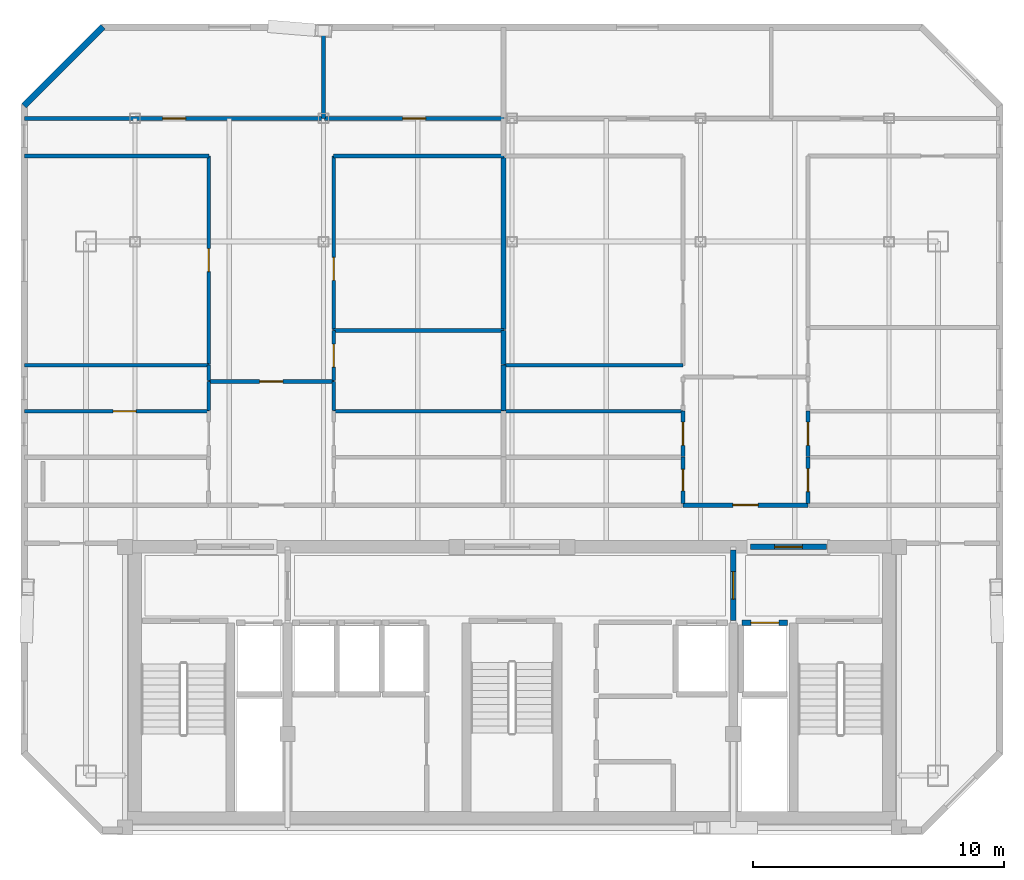
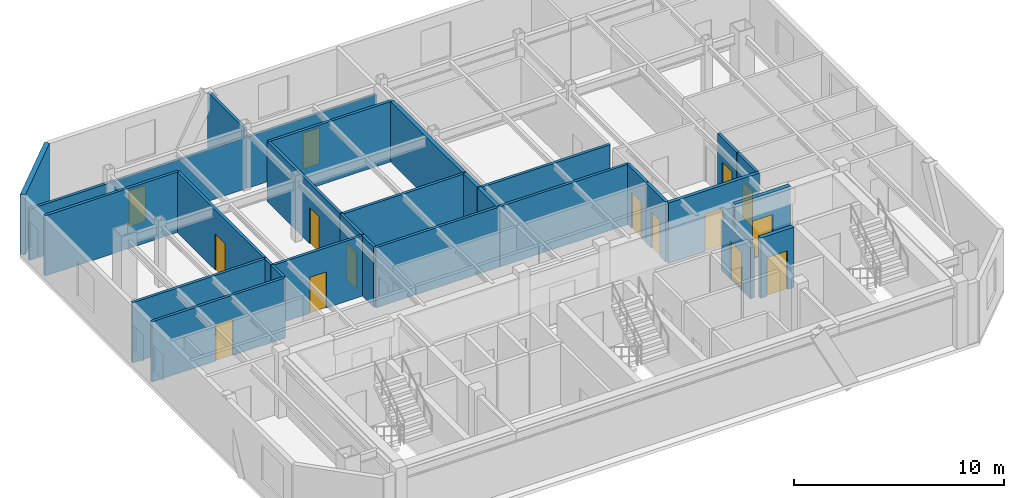
# One storey, part 4 of 7: 30 walls, 15 doors, 15 openings.
"""IFC4 building model written with IfcOpenShell, lengths in metres."""

from ifc_helpers import new_model, si_unit, direction, frame, frame_2d, origin, place, context, subcontext, project, spatial, rectangle, extrude, material, layer, layer_set, type_object, element, fill, save


model = new_model("IFC4")

# Units and contexts
model_context = context("Model", 3, precision=1e-05, world=origin(), true_north=direction((0.0, 1.0)))
body_context = subcontext(model_context, "Body", "Model", "MODEL_VIEW")
ifc_project = project(units=[si_unit("LENGTHUNIT", "METRE"), si_unit("AREAUNIT", "SQUARE_METRE"), si_unit("VOLUMEUNIT", "CUBIC_METRE"), si_unit("PLANEANGLEUNIT", "RADIAN"), si_unit("MASSUNIT", "GRAM", prefix="KILO")], contexts=[model_context])

# Site, building, storey
site_placement = place(None, origin())
site = spatial("IfcSite", under=ifc_project, at=site_placement, CompositionType="ELEMENT")
building_placement = place(site_placement, origin())
building = spatial("IfcBuilding", under=site, at=building_placement, Name="Ventersveld Concourse Tower", CompositionType="ELEMENT")
storey_placement = place(building_placement, frame((0.0, 0.0, 328.449951171875)))
storey = spatial("IfcBuildingStorey", under=building, at=storey_placement, Name="L81", CompositionType="ELEMENT", Elevation=328.449951171875)

# Wall, opening, door
ifc_material_1 = material(Name="Fire-rated autoclaved aerated masonry blockwork", Category="masonry")
ifc_layer_1 = layer(ifc_material_1, 0.179931640625)
ifc_layer_set_1 = layer_set([ifc_layer_1], Name="Fire-rated autoclaved aerated masonry blockwork")
wall_type_1 = type_object("IfcWallType", Name="WL-CORR-180", PredefinedType="PARTITIONING", material=ifc_layer_set_1)
wall_1_placement = place(storey_placement, frame((35.545166015625, 13.114990234375, 0.0), z_axis=(0.0, 0.0, 1.0), x_axis=(1.0, 0.0, 0.0)))
wall_1 = element("IfcWall", 1, at=wall_1_placement, inside=storey, type_object=wall_type_1, Name="L81 Interior Partition SP-L81-COR-SP-L81-81N2-FOY", PredefinedType="PARTITIONING", context=body_context, shape_type="SweptSolid", body=[
    extrude(rectangle(XDim=4.989990234375, YDim=0.179931640625, at=frame_2d((2.4951171875, 0.0))), origin(), (0.0, 0.0, 1.0), 3.5),
])
opening_1_placement = place(wall_1_placement, frame((1.9951171875, 0.0, 0.0)))
opening_1 = element("IfcOpeningElement", 2, at=opening_1_placement, cuts=wall_1, Name="Opening FD3", PredefinedType="OPENING", context=body_context, shape_type="SweptSolid", body=[
    extrude(rectangle(XDim=1.0, YDim=2.14990234375, at=frame_2d((0.5, 1.074951171875))), frame((0.0, 0.10009765625, 0.0), z_axis=(0.0, -1.0, 0.0), x_axis=(1.0, 0.0, 0.0)), (0.0, 0.0, 1.0), 0.199951171875),
])
ifc_material_2 = material(Name="Solid-core hardwood veneer timber", Category="wood")
door_type_1 = type_object("IfcDoorType", Name="DR-FLAT-100", OperationType="NOTDEFINED", PredefinedType="DOOR", material=ifc_material_2)
door_1_placement = place(opening_1_placement, origin())
door_1 = element("IfcDoor", 3, at=door_1_placement, inside=storey, type_object=door_type_1, Name="L81 Interior Door SP-L81-COR to SP-L81-81N2-FOY (FD-L81-3681)", OperationType="SINGLE_SWING_LEFT", OverallHeight=2.14990234375, OverallWidth=1.0, PredefinedType="DOOR", context=body_context, shape_type="SweptSolid", body=[
    extrude(rectangle(XDim=1.0, YDim=2.14990234375, at=frame_2d((0.5, 1.074951171875))), frame((0.0, 0.02490234375, 0.0), z_axis=(0.0, -1.0, 0.0), x_axis=(1.0, 0.0, 0.0)), (0.0, 0.0, 1.0), 0.050048828125),
])
fill(opening_1, door_1)

# Walls
ifc_layer_2 = layer(ifc_material_1, 0.199951171875)
ifc_layer_set_2 = layer_set([ifc_layer_2], Name="Fire-rated autoclaved aerated masonry blockwork")
wall_type_2 = type_object("IfcWallType", Name="WL-DEMISE-200", PredefinedType="PARTITIONING", material=ifc_layer_set_2)
wall_2_placement = place(storey_placement, frame((28.419189453125, 16.885009765625, 0.0), z_axis=(0.0, 0.0, 1.0), x_axis=(0.0, 1.0, 0.0)))
element("IfcWall", 4, at=wall_2_placement, inside=storey, type_object=wall_type_2, Name="L81 Interior Partition SP-L81-81N1-MEDR3-SP-L81-81N2-PANL2", PredefinedType="PARTITIONING", context=body_context, shape_type="SweptSolid", body=[
    extrude(rectangle(XDim=1.800048828125, YDim=0.199951171875, at=frame_2d((0.89990234375, 0.0))), origin(), (0.0, 0.0, 1.0), 3.5),
])
wall_3_placement = place(storey_placement, frame((28.419189453125, 18.715087890625, 0.0), z_axis=(0.0, 0.0, 1.0), x_axis=(0.0, 1.0, 0.0)))
element("IfcWall", 5, at=wall_3_placement, inside=storey, type_object=wall_type_2, Name="L81 Interior Partition SP-L81-81N1-MEDR3-SP-L81-81N2-DENL", PredefinedType="PARTITIONING", context=body_context, shape_type="SweptSolid", body=[
    extrude(rectangle(XDim=1.345947265625, YDim=0.199951171875, at=frame_2d((0.6728515625, 0.0))), origin(), (0.0, 0.0, 1.0), 3.5),
])
wall_4_placement = place(storey_placement, frame((28.419189453125, 20.091064453125, 0.0), z_axis=(0.0, 0.0, 1.0), x_axis=(0.0, 1.0, 0.0)))
element("IfcWall", 6, at=wall_4_placement, inside=storey, type_object=wall_type_2, Name="L81 Interior Partition SP-L81-81N1-DENS2-SP-L81-81N2-DENL", PredefinedType="PARTITIONING", context=body_context, shape_type="SweptSolid", body=[
    extrude(rectangle(XDim=6.8740234375, YDim=0.199951171875, at=frame_2d((3.43701171875, 0.0))), origin(), (0.0, 0.0, 1.0), 3.5),
])

# Wall, opening, door
ifc_layer_3 = layer(ifc_material_1, 0.219970703125)
ifc_layer_set_3 = layer_set([ifc_layer_3], Name="Fire-rated autoclaved aerated masonry blockwork")
wall_type_3 = type_object("IfcWallType", Name="WL-HOIST-220", PredefinedType="SOLIDWALL", material=ifc_layer_set_3)
wall_5_placement = place(storey_placement, frame((37.89990234375, 8.429931640625, 0.0), z_axis=(0.0, 0.0, 1.0), x_axis=(1.0, 0.0, 0.0)))
wall_5 = element("IfcWall", 7, at=wall_5_placement, inside=storey, type_object=wall_type_3, Name="L81 Lift Hoistway Front Wall FFL-02", PredefinedType="SOLIDWALL", context=body_context, shape_type="SweptSolid", body=[
    extrude(rectangle(XDim=1.820068359375, YDim=0.219970703125, at=frame_2d((0.91015625, 0.0))), origin(), (0.0, 0.0, 1.0), 3.5),
])
opening_2_placement = place(wall_5_placement, frame((0.35009765625, 0.0, 0.0)))
opening_2 = element("IfcOpeningElement", 8, at=opening_2_placement, cuts=wall_5, Name="Opening LD1", PredefinedType="OPENING", context=body_context, shape_type="SweptSolid", body=[
    extrude(rectangle(XDim=1.1201171875, YDim=2.25, at=frame_2d((0.56005859375, 1.125))), frame((0.0, 0.1201171875, 0.0), z_axis=(0.0, -1.0, 0.0), x_axis=(1.0, 0.0, 0.0)), (0.0, 0.0, 1.0), 0.239990234375),
])
ifc_material_3 = material(Name="Brushed stainless steel 316", Category="steel")
door_type_2 = type_object("IfcDoorType", Name="LD-FF-112", OperationType="SLIDING_TO_LEFT", PredefinedType="DOOR", material=ifc_material_3)
door_2_placement = place(opening_2_placement, origin())
door_2 = element("IfcDoor", 9, at=door_2_placement, inside=storey, type_object=door_type_2, Name="L81 Lift landing door FFL-02 (LD-L81-FFL-02)", OperationType="SLIDING_TO_LEFT", OverallHeight=2.25, OverallWidth=1.1201171875, PredefinedType="DOOR", context=body_context, shape_type="SweptSolid", body=[
    extrude(rectangle(XDim=1.1201171875, YDim=2.25, at=frame_2d((0.56005859375, 1.125))), frame((0.0, 0.02490234375, 0.0), z_axis=(0.0, -1.0, 0.0), x_axis=(1.0, 0.0, 0.0)), (0.0, 0.0, 1.0), 0.050048828125),
])
fill(opening_2, door_2)

wall_6_placement = place(storey_placement, frame((37.550048828125, 8.52001953125, 0.0), z_axis=(0.0, 0.0, 1.0), x_axis=(0.0, 1.0, 0.0)))
wall_6 = element("IfcWall", 10, at=wall_6_placement, inside=storey, type_object=wall_type_3, Name="L81 Firefighting Lobby Smoke-Stop Wall FFLE-SEP", PredefinedType="SOLIDWALL", context=body_context, shape_type="SweptSolid", body=[
    extrude(rectangle(XDim=2.800048828125, YDim=0.219970703125, at=frame_2d((1.39990234375, 0.0))), origin(), (0.0, 0.0, 1.0), 2.95556640625),
])
opening_3_placement = place(wall_6_placement, frame((0.85009765625, 0.0, 0.0)))
opening_3 = element("IfcOpeningElement", 11, at=opening_3_placement, cuts=wall_6, Name="Opening FD2", PredefinedType="OPENING", context=body_context, shape_type="SweptSolid", body=[
    extrude(rectangle(XDim=1.10009765625, YDim=2.199951171875, at=frame_2d((0.550048828125, 1.10009765625))), frame((0.0, 0.1201171875, 0.0), z_axis=(0.0, -1.0, 0.0), x_axis=(1.0, 0.0, 0.0)), (0.0, 0.0, 1.0), 0.239990234375),
])
ifc_material_4 = material(Name="Galvanised painted steel", Category="steel")
door_type_3 = type_object("IfcDoorType", Name="DR-FFL-110", OperationType="NOTDEFINED", PredefinedType="DOOR", material=ifc_material_4)
door_3_placement = place(opening_3_placement, origin())
door_3 = element("IfcDoor", 12, at=door_3_placement, inside=storey, type_object=door_type_3, Name="L81 Firefighting Lobby Door FFLE-SEP (FD-L81-3670)", OperationType="SINGLE_SWING_RIGHT", OverallHeight=2.199951171875, OverallWidth=1.10009765625, PredefinedType="DOOR", context=body_context, shape_type="SweptSolid", body=[
    extrude(rectangle(XDim=1.10009765625, YDim=2.199951171875, at=frame_2d((0.550048828125, 1.10009765625))), frame((0.0, 0.02490234375, 0.0), z_axis=(0.0, -1.0, 0.0), x_axis=(1.0, 0.0, 0.0)), (0.0, 0.0, 1.0), 0.050048828125),
])
fill(opening_3, door_3)

wall_7_placement = place(storey_placement, frame((38.22998046875, 11.449951171875, 0.0), z_axis=(0.0, 0.0, 1.0), x_axis=(1.0, 0.0, 0.0)))
wall_7 = element("IfcWall", 13, at=wall_7_placement, inside=storey, type_object=wall_type_3, Name="L81 Core North Fire Portal FFLE-OUT", PredefinedType="SOLIDWALL", context=body_context, shape_type="SweptSolid", body=[
    extrude(rectangle(XDim=3.0400390625, YDim=0.219970703125, at=frame_2d((1.52001953125, 0.0))), origin(), (0.0, 0.0, 1.0), 3.5),
])
opening_4_placement = place(wall_7_placement, frame((0.969970703125, 0.0, 0.0)))
opening_4 = element("IfcOpeningElement", 14, at=opening_4_placement, cuts=wall_7, Name="Opening FD2", PredefinedType="OPENING", context=body_context, shape_type="SweptSolid", body=[
    extrude(rectangle(XDim=1.10009765625, YDim=2.199951171875, at=frame_2d((0.550048828125, 1.10009765625))), frame((0.0, 0.1201171875, 0.0), z_axis=(0.0, -1.0, 0.0), x_axis=(1.0, 0.0, 0.0)), (0.0, 0.0, 1.0), 0.239990234375),
])
door_4_placement = place(opening_4_placement, origin())
door_4 = element("IfcDoor", 15, at=door_4_placement, inside=storey, type_object=door_type_3, Name="L81 Core Lobby Fire Door FFLE-OUT (FD-L81-3673)", OperationType="SINGLE_SWING_LEFT", OverallHeight=2.199951171875, OverallWidth=1.10009765625, PredefinedType="DOOR", context=body_context, shape_type="SweptSolid", body=[
    extrude(rectangle(XDim=1.10009765625, YDim=2.199951171875, at=frame_2d((0.550048828125, 1.10009765625))), frame((0.0, 0.02490234375, 0.0), z_axis=(0.0, -1.0, 0.0), x_axis=(1.0, 0.0, 0.0)), (0.0, 0.0, 1.0), 0.050048828125),
])
fill(opening_4, door_4)

ifc_material_5 = material(Name="Autoclaved aerated masonry blockwork", Category="masonry")
ifc_layer_4 = layer(ifc_material_5, 0.14990234375)
ifc_layer_set_4 = layer_set([ifc_layer_4], Name="Autoclaved aerated masonry blockwork")
wall_type_4 = type_object("IfcWallType", Name="WL-INT-150", PredefinedType="PARTITIONING", material=ifc_layer_set_4)
wall_8_placement = place(storey_placement, frame((16.6748046875, 18.0302734375, 0.0), z_axis=(0.0, 0.0, 1.0), x_axis=(1.0, 0.0, 0.0)))
wall_8 = element("IfcWall", 16, at=wall_8_placement, inside=storey, type_object=wall_type_4, Name="L81 Interior Partition SP-L81-81N1-FOY-SP-L81-81N1-LIV", PredefinedType="PARTITIONING", context=body_context, shape_type="SweptSolid", body=[
    extrude(rectangle(XDim=4.989990234375, YDim=0.14990234375, at=frame_2d((2.4951171875, 0.0))), origin(), (0.0, 0.0, 1.0), 3.5),
])
opening_5_placement = place(wall_8_placement, frame((2.034912109375, 0.0, 0.0)))
opening_5 = element("IfcOpeningElement", 17, at=opening_5_placement, cuts=wall_8, Name="Opening ID1", PredefinedType="OPENING", context=body_context, shape_type="SweptSolid", body=[
    extrude(rectangle(XDim=0.919921875, YDim=2.10009765625, at=frame_2d((0.4599609375, 1.050048828125))), frame((0.0, 0.0849609375, 0.0), z_axis=(0.0, -1.0, 0.0), x_axis=(1.0, 0.0, 0.0)), (0.0, 0.0, 1.0), 0.169921875),
])
door_type_4 = type_object("IfcDoorType", Name="DR-ROOM-092", OperationType="NOTDEFINED", PredefinedType="DOOR", material=ifc_material_2)
door_5_placement = place(opening_5_placement, origin())
door_5 = element("IfcDoor", 18, at=door_5_placement, inside=storey, type_object=door_type_4, Name="L81 Interior Door SP-L81-81N1-FOY to SP-L81-81N1-LIV (D-L81-3682)", OperationType="SINGLE_SWING_RIGHT", OverallHeight=2.10009765625, OverallWidth=0.919921875, PredefinedType="DOOR", context=body_context, shape_type="SweptSolid", body=[
    extrude(rectangle(XDim=0.919921875, YDim=2.10009765625, at=frame_2d((0.4599609375, 1.050048828125))), frame((0.0, 0.02490234375, 0.0), z_axis=(0.0, -1.0, 0.0), x_axis=(1.0, 0.0, 0.0)), (0.0, 0.0, 1.0), 0.050048828125),
])
fill(opening_5, door_5)

# Walls
for number, where, z_axis, x_axis, name in (
    (19, (16.6796875, 16.885009765625, 0.0), (0.0, 0.0, 1.0), (0.0, 1.0, 0.0), "L81 Interior Partition SP-L81-81N1-FOY-SP-L81-81N1-PANL2"),
    (20, (21.659912109375, 16.885009765625, 0.0), (0.0, 0.0, 1.0), (0.0, 1.0, 0.0), "L81 Interior Partition SP-L81-81N1-FOY-SP-L81-81N1-MEDR3"),
):
    element("IfcWall", number, at=place(storey_placement, frame(where, z_axis=z_axis, x_axis=x_axis)), inside=storey, type_object=wall_type_4, Name=name, PredefinedType="PARTITIONING", context=body_context, shape_type="SweptSolid", body=[
        extrude(rectangle(XDim=1.150146484375, YDim=0.14990234375, at=frame_2d((0.5751953125, 0.0))), origin(), (0.0, 0.0, 1.0), 3.5),
    ])
wall_9_placement = place(storey_placement, frame((16.6796875, 18.065185546875, 0.0), z_axis=(0.0, 0.0, 1.0), x_axis=(0.0, 1.0, 0.0)))
element("IfcWall", 21, at=wall_9_placement, inside=storey, type_object=wall_type_4, Name="L81 Interior Partition SP-L81-81N1-LIV-SP-L81-81N1-PANL2", PredefinedType="PARTITIONING", context=body_context, shape_type="SweptSolid", body=[
    extrude(rectangle(XDim=0.619873046875, YDim=0.14990234375, at=frame_2d((0.31005859375, 0.0))), origin(), (0.0, 0.0, 1.0), 3.5),
])

# Wall, opening, door
wall_10_placement = place(storey_placement, frame((16.6796875, 18.715087890625, 0.0), z_axis=(0.0, 0.0, 1.0), x_axis=(0.0, 1.0, 0.0)))
wall_10 = element("IfcWall", 22, at=wall_10_placement, inside=storey, type_object=wall_type_4, Name="L81 Interior Partition SP-L81-81N1-LIV-SP-L81-81N1-MEDL4", PredefinedType="PARTITIONING", context=body_context, shape_type="SweptSolid", body=[
    extrude(rectangle(XDim=8.289794921875, YDim=0.14990234375, at=frame_2d((4.14501953125, 0.0))), origin(), (0.0, 0.0, 1.0), 3.5),
])
opening_6_placement = place(wall_10_placement, frame((3.68505859375, 0.0, 0.0)))
opening_6 = element("IfcOpeningElement", 23, at=opening_6_placement, cuts=wall_10, Name="Opening ID1", PredefinedType="OPENING", context=body_context, shape_type="SweptSolid", body=[
    extrude(rectangle(XDim=0.919921875, YDim=2.10009765625, at=frame_2d((0.4599609375, 1.050048828125))), frame((0.0, 0.0849609375, 0.0), z_axis=(0.0, -1.0, 0.0), x_axis=(1.0, 0.0, 0.0)), (0.0, 0.0, 1.0), 0.169921875),
])
door_6_placement = place(opening_6_placement, origin())
door_6 = element("IfcDoor", 24, at=door_6_placement, inside=storey, type_object=door_type_4, Name="L81 Interior Door SP-L81-81N1-LIV to SP-L81-81N1-MEDL4 (D-L81-3687)", OperationType="SINGLE_SWING_LEFT", OverallHeight=2.10009765625, OverallWidth=0.919921875, PredefinedType="DOOR", context=body_context, shape_type="SweptSolid", body=[
    extrude(rectangle(XDim=0.919921875, YDim=2.10009765625, at=frame_2d((0.4599609375, 1.050048828125))), frame((0.0, 0.02490234375, 0.0), z_axis=(0.0, -1.0, 0.0), x_axis=(1.0, 0.0, 0.0)), (0.0, 0.0, 1.0), 0.050048828125),
])
fill(opening_6, door_6)

# Wall
wall_11_placement = place(storey_placement, frame((9.355712890625, 27.0, 0.0), z_axis=(0.0, 0.0, 1.0), x_axis=(1.0, 0.0, 0.0)))
element("IfcWall", 25, at=wall_11_placement, inside=storey, type_object=wall_type_4, Name="L81 Interior Partition SP-L81-81N1-LIV-SP-L81-81N1-MEDL4", PredefinedType="PARTITIONING", context=body_context, shape_type="SweptSolid", body=[
    extrude(rectangle(XDim=7.3291015625, YDim=0.14990234375, at=frame_2d((3.66455078125, 0.0))), origin(), (0.0, 0.0, 1.0), 3.5),
])

# Wall, opening, door
wall_12_placement = place(storey_placement, frame((21.659912109375, 18.065185546875, 0.0), z_axis=(0.0, 0.0, 1.0), x_axis=(0.0, 1.0, 0.0)))
wall_12 = element("IfcWall", 26, at=wall_12_placement, inside=storey, type_object=wall_type_4, Name="L81 Interior Partition SP-L81-81N1-LIV-SP-L81-81N1-MEDR3", PredefinedType="PARTITIONING", context=body_context, shape_type="SweptSolid", body=[
    extrude(rectangle(XDim=1.995849609375, YDim=0.14990234375, at=frame_2d((0.998046875, 0.0))), origin(), (0.0, 0.0, 1.0), 3.5),
])
opening_7_placement = place(wall_12_placement, frame((0.537841796875, 0.0, 0.0)))
opening_7 = element("IfcOpeningElement", 27, at=opening_7_placement, cuts=wall_12, Name="Opening ID1", PredefinedType="OPENING", context=body_context, shape_type="SweptSolid", body=[
    extrude(rectangle(XDim=0.919921875, YDim=2.10009765625, at=frame_2d((0.4599609375, 1.050048828125))), frame((0.0, 0.0849609375, 0.0), z_axis=(0.0, -1.0, 0.0), x_axis=(1.0, 0.0, 0.0)), (0.0, 0.0, 1.0), 0.169921875),
])
door_7_placement = place(opening_7_placement, origin())
door_7 = element("IfcDoor", 28, at=door_7_placement, inside=storey, type_object=door_type_4, Name="L81 Interior Door SP-L81-81N1-LIV to SP-L81-81N1-MEDR3 (D-L81-3688)", OperationType="SINGLE_SWING_RIGHT", OverallHeight=2.10009765625, OverallWidth=0.919921875, PredefinedType="DOOR", context=body_context, shape_type="SweptSolid", body=[
    extrude(rectangle(XDim=0.919921875, YDim=2.10009765625, at=frame_2d((0.4599609375, 1.050048828125))), frame((0.0, 0.02490234375, 0.0), z_axis=(0.0, -1.0, 0.0), x_axis=(1.0, 0.0, 0.0)), (0.0, 0.0, 1.0), 0.050048828125),
])
fill(opening_7, door_7)

wall_13_placement = place(storey_placement, frame((21.659912109375, 20.091064453125, 0.0), z_axis=(0.0, 0.0, 1.0), x_axis=(0.0, 1.0, 0.0)))
wall_13 = element("IfcWall", 29, at=wall_13_placement, inside=storey, type_object=wall_type_4, Name="L81 Interior Partition SP-L81-81N1-LIV-SP-L81-81N1-DENS2", PredefinedType="PARTITIONING", context=body_context, shape_type="SweptSolid", body=[
    extrude(rectangle(XDim=6.913818359375, YDim=0.14990234375, at=frame_2d((3.45703125, 0.0))), origin(), (0.0, 0.0, 1.0), 3.5),
])
opening_8_placement = place(wall_13_placement, frame((1.9599609375, 0.0, 0.0)))
opening_8 = element("IfcOpeningElement", 30, at=opening_8_placement, cuts=wall_13, Name="Opening ID1", PredefinedType="OPENING", context=body_context, shape_type="SweptSolid", body=[
    extrude(rectangle(XDim=0.919921875, YDim=2.10009765625, at=frame_2d((0.4599609375, 1.050048828125))), frame((0.0, 0.0849609375, 0.0), z_axis=(0.0, -1.0, 0.0), x_axis=(1.0, 0.0, 0.0)), (0.0, 0.0, 1.0), 0.169921875),
])
door_8_placement = place(opening_8_placement, origin())
door_8 = element("IfcDoor", 31, at=door_8_placement, inside=storey, type_object=door_type_4, Name="L81 Interior Door SP-L81-81N1-LIV to SP-L81-81N1-DENS2 (D-L81-3689)", OperationType="SINGLE_SWING_LEFT", OverallHeight=2.10009765625, OverallWidth=0.919921875, PredefinedType="DOOR", context=body_context, shape_type="SweptSolid", body=[
    extrude(rectangle(XDim=0.919921875, YDim=2.10009765625, at=frame_2d((0.4599609375, 1.050048828125))), frame((0.0, 0.02490234375, 0.0), z_axis=(0.0, -1.0, 0.0), x_axis=(1.0, 0.0, 0.0)), (0.0, 0.0, 1.0), 0.050048828125),
])
fill(opening_8, door_8)

# Wall
wall_14_placement = place(storey_placement, frame((21.65478515625, 27.0, 0.0), z_axis=(0.0, 0.0, 1.0), x_axis=(1.0, 0.0, 0.0)))
element("IfcWall", 32, at=wall_14_placement, inside=storey, type_object=wall_type_4, Name="L81 Interior Partition SP-L81-81N1-LIV-SP-L81-81N1-DENS2", PredefinedType="PARTITIONING", context=body_context, shape_type="SweptSolid", body=[
    extrude(rectangle(XDim=6.76953125, YDim=0.14990234375, at=frame_2d((3.384765625, 0.0))), origin(), (0.0, 0.0, 1.0), 3.5),
])

# Wall, opening, door
wall_15_placement = place(storey_placement, frame((9.355712890625, 28.5, 0.0), z_axis=(0.0, 0.0, 1.0), x_axis=(1.0, 0.0, 0.0)))
wall_15 = element("IfcWall", 33, at=wall_15_placement, inside=storey, type_object=wall_type_4, Name="L81 Interior Partition SP-L81-81N1-LIV-SP-L81-81N1-BR1", PredefinedType="PARTITIONING", context=body_context, shape_type="SweptSolid", body=[
    extrude(rectangle(XDim=11.899169921875, YDim=0.14990234375, at=frame_2d((5.94970703125, 0.0))), origin(), (0.0, 0.0, 1.0), 2.967041015625),
])
opening_9_placement = place(wall_15_placement, frame((5.489501953125, 0.0, 0.0)))
opening_9 = element("IfcOpeningElement", 34, at=opening_9_placement, cuts=wall_15, Name="Opening ID1", PredefinedType="OPENING", context=body_context, shape_type="SweptSolid", body=[
    extrude(rectangle(XDim=0.919921875, YDim=2.10009765625, at=frame_2d((0.4599609375, 1.050048828125))), frame((0.0, 0.0849609375, 0.0), z_axis=(0.0, -1.0, 0.0), x_axis=(1.0, 0.0, 0.0)), (0.0, 0.0, 1.0), 0.169921875),
])
door_9_placement = place(opening_9_placement, origin())
door_9 = element("IfcDoor", 35, at=door_9_placement, inside=storey, type_object=door_type_4, Name="L81 Interior Door SP-L81-81N1-LIV to SP-L81-81N1-BR1 (D-L81-3690)", OperationType="SINGLE_SWING_RIGHT", OverallHeight=2.10009765625, OverallWidth=0.919921875, PredefinedType="DOOR", context=body_context, shape_type="SweptSolid", body=[
    extrude(rectangle(XDim=0.919921875, YDim=2.10009765625, at=frame_2d((0.4599609375, 1.050048828125))), frame((0.0, 0.02490234375, 0.0), z_axis=(0.0, -1.0, 0.0), x_axis=(1.0, 0.0, 0.0)), (0.0, 0.0, 1.0), 0.050048828125),
])
fill(opening_9, door_9)

wall_16_placement = place(storey_placement, frame((21.284912109375, 28.5, 0.0), z_axis=(0.0, 0.0, 1.0), x_axis=(1.0, 0.0, 0.0)))
wall_16 = element("IfcWall", 36, at=wall_16_placement, inside=storey, type_object=wall_type_4, Name="L81 Interior Partition SP-L81-81N1-LIV-SP-L81-81N1-BR2", PredefinedType="PARTITIONING", context=body_context, shape_type="SweptSolid", body=[
    extrude(rectangle(XDim=7.139404296875, YDim=0.14990234375, at=frame_2d((3.56982421875, 0.0))), origin(), (0.0, 0.0, 1.0), 2.967041015625),
])
opening_10_placement = place(wall_16_placement, frame((3.109619140625, 0.0, 0.0)))
opening_10 = element("IfcOpeningElement", 37, at=opening_10_placement, cuts=wall_16, Name="Opening ID1", PredefinedType="OPENING", context=body_context, shape_type="SweptSolid", body=[
    extrude(rectangle(XDim=0.919921875, YDim=2.10009765625, at=frame_2d((0.4599609375, 1.050048828125))), frame((0.0, 0.0849609375, 0.0), z_axis=(0.0, -1.0, 0.0), x_axis=(1.0, 0.0, 0.0)), (0.0, 0.0, 1.0), 0.169921875),
])
door_10_placement = place(opening_10_placement, origin())
door_10 = element("IfcDoor", 38, at=door_10_placement, inside=storey, type_object=door_type_4, Name="L81 Interior Door SP-L81-81N1-LIV to SP-L81-81N1-BR2 (D-L81-3691)", OperationType="SINGLE_SWING_LEFT", OverallHeight=2.10009765625, OverallWidth=0.919921875, PredefinedType="DOOR", context=body_context, shape_type="SweptSolid", body=[
    extrude(rectangle(XDim=0.919921875, YDim=2.10009765625, at=frame_2d((0.4599609375, 1.050048828125))), frame((0.0, 0.02490234375, 0.0), z_axis=(0.0, -1.0, 0.0), x_axis=(1.0, 0.0, 0.0)), (0.0, 0.0, 1.0), 0.050048828125),
])
fill(opening_10, door_10)

wall_17_placement = place(storey_placement, frame((9.355712890625, 16.85009765625, 0.0), z_axis=(0.0, 0.0, 1.0), x_axis=(1.0, 0.0, 0.0)))
wall_17 = element("IfcWall", 39, at=wall_17_placement, inside=storey, type_object=wall_type_4, Name="L81 Interior Partition SP-L81-81N1-PANL0-SP-L81-81N1-PANL2", PredefinedType="PARTITIONING", context=body_context, shape_type="SweptSolid", body=[
    extrude(rectangle(XDim=7.3291015625, YDim=0.14990234375, at=frame_2d((3.66455078125, 0.0))), origin(), (0.0, 0.0, 1.0), 3.5),
])
opening_11_placement = place(wall_17_placement, frame((3.522216796875, 0.0, 0.0)))
opening_11 = element("IfcOpeningElement", 40, at=opening_11_placement, cuts=wall_17, Name="Opening ID1", PredefinedType="OPENING", context=body_context, shape_type="SweptSolid", body=[
    extrude(rectangle(XDim=0.919921875, YDim=2.10009765625, at=frame_2d((0.4599609375, 1.050048828125))), frame((0.0, 0.0849609375, 0.0), z_axis=(0.0, -1.0, 0.0), x_axis=(1.0, 0.0, 0.0)), (0.0, 0.0, 1.0), 0.169921875),
])
door_11_placement = place(opening_11_placement, origin())
door_11 = element("IfcDoor", 41, at=door_11_placement, inside=storey, type_object=door_type_4, Name="L81 Interior Door Flat 81N1 Beverage Tea Pantry (D-L81-3704)", OperationType="SINGLE_SWING_LEFT", OverallHeight=2.10009765625, OverallWidth=0.919921875, PredefinedType="DOOR", context=body_context, shape_type="SweptSolid", body=[
    extrude(rectangle(XDim=0.919921875, YDim=2.10009765625, at=frame_2d((0.4599609375, 1.050048828125))), frame((0.0, 0.02490234375, 0.0), z_axis=(0.0, -1.0, 0.0), x_axis=(1.0, 0.0, 0.0)), (0.0, 0.0, 1.0), 0.050048828125),
])
fill(opening_11, door_11)

# Walls
wall_18_placement = place(storey_placement, frame((9.355712890625, 18.679931640625, 0.0), z_axis=(0.0, 0.0, 1.0), x_axis=(1.0, 0.0, 0.0)))
element("IfcWall", 42, at=wall_18_placement, inside=storey, type_object=wall_type_4, Name="L81 Interior Partition SP-L81-81N1-PANL2-SP-L81-81N1-MEDL4", PredefinedType="PARTITIONING", context=body_context, shape_type="SweptSolid", body=[
    extrude(rectangle(XDim=7.3291015625, YDim=0.14990234375, at=frame_2d((3.66455078125, 0.0))), origin(), (0.0, 0.0, 1.0), 3.5),
])
for number, where, z_axis, x_axis, name in (
    (43, (21.65478515625, 16.85009765625, 0.0), (0.0, 0.0, 1.0), (1.0, 0.0, 0.0), "L81 Interior Partition SP-L81-81N1-PANR1-SP-L81-81N1-MEDR3"),
    (44, (21.65478515625, 20.05615234375, 0.0), (0.0, 0.0, 1.0), (1.0, 0.0, 0.0), "L81 Interior Partition SP-L81-81N1-MEDR3-SP-L81-81N1-DENS2"),
):
    element("IfcWall", number, at=place(storey_placement, frame(where, z_axis=z_axis, x_axis=x_axis)), inside=storey, type_object=wall_type_4, Name=name, PredefinedType="PARTITIONING", context=body_context, shape_type="SweptSolid", body=[
        extrude(rectangle(XDim=6.76953125, YDim=0.14990234375, at=frame_2d((3.384765625, 0.0))), origin(), (0.0, 0.0, 1.0), 3.5),
    ])
wall_19_placement = place(storey_placement, frame((21.25, 28.4951171875, 0.0), z_axis=(0.0, 0.0, 1.0), x_axis=(0.0, 1.0, 0.0)))
element("IfcWall", 45, at=wall_19_placement, inside=storey, type_object=wall_type_4, Name="L81 Interior Partition SP-L81-81N1-BR1-SP-L81-81N1-BR2", PredefinedType="PARTITIONING", context=body_context, shape_type="SweptSolid", body=[
    extrude(rectangle(XDim=3.471923828125, YDim=0.14990234375, at=frame_2d((1.73583984375, 0.0))), origin(), (0.0, 0.0, 1.0), 3.5),
])

# Wall, opening, door
wall_20_placement = place(storey_placement, frame((35.550048828125, 15.054931640625, 0.0), z_axis=(0.0, 0.0, 1.0), x_axis=(0.0, 1.0, 0.0)))
wall_20 = element("IfcWall", 46, at=wall_20_placement, inside=storey, type_object=wall_type_4, Name="L81 Interior Partition SP-L81-81N2-FOY-SP-L81-81N2-PANL0", PredefinedType="PARTITIONING", context=body_context, shape_type="SweptSolid", body=[
    extrude(rectangle(XDim=1.800048828125, YDim=0.14990234375, at=frame_2d((0.89990234375, 0.0))), origin(), (0.0, 0.0, 1.0), 3.5),
])
opening_12_placement = place(wall_20_placement, frame((0.43994140625, 0.0, 0.0)))
opening_12 = element("IfcOpeningElement", 47, at=opening_12_placement, cuts=wall_20, Name="Opening ID1", PredefinedType="OPENING", context=body_context, shape_type="SweptSolid", body=[
    extrude(rectangle(XDim=0.919921875, YDim=2.10009765625, at=frame_2d((0.4599609375, 1.050048828125))), frame((0.0, 0.0849609375, 0.0), z_axis=(0.0, -1.0, 0.0), x_axis=(1.0, 0.0, 0.0)), (0.0, 0.0, 1.0), 0.169921875),
])
door_12_placement = place(opening_12_placement, origin())
door_12 = element("IfcDoor", 48, at=door_12_placement, inside=storey, type_object=door_type_4, Name="L81 Interior Door SP-L81-81N2-FOY to SP-L81-81N2-PANL0 (D-L81-3694)", OperationType="SINGLE_SWING_RIGHT", OverallHeight=2.10009765625, OverallWidth=0.919921875, PredefinedType="DOOR", context=body_context, shape_type="SweptSolid", body=[
    extrude(rectangle(XDim=0.919921875, YDim=2.10009765625, at=frame_2d((0.4599609375, 1.050048828125))), frame((0.0, 0.02490234375, 0.0), z_axis=(0.0, -1.0, 0.0), x_axis=(1.0, 0.0, 0.0)), (0.0, 0.0, 1.0), 0.050048828125),
])
fill(opening_12, door_12)

wall_21_placement = place(storey_placement, frame((40.530029296875, 13.18505859375, 0.0), z_axis=(0.0, 0.0, 1.0), x_axis=(0.0, 1.0, 0.0)))
wall_21 = element("IfcWall", 49, at=wall_21_placement, inside=storey, type_object=wall_type_4, Name="L81 Interior Partition SP-L81-81N2-FOY-SP-L81-81N2-KIT", PredefinedType="PARTITIONING", context=body_context, shape_type="SweptSolid", body=[
    extrude(rectangle(XDim=1.83984375, YDim=0.14990234375, at=frame_2d((0.919921875, 0.0))), origin(), (0.0, 0.0, 1.0), 3.5),
])
opening_13_placement = place(wall_21_placement, frame((0.4599609375, 0.0, 0.0)))
opening_13 = element("IfcOpeningElement", 50, at=opening_13_placement, cuts=wall_21, Name="Opening ID1", PredefinedType="OPENING", context=body_context, shape_type="SweptSolid", body=[
    extrude(rectangle(XDim=0.919921875, YDim=2.10009765625, at=frame_2d((0.4599609375, 1.050048828125))), frame((0.0, 0.0849609375, 0.0), z_axis=(0.0, -1.0, 0.0), x_axis=(1.0, 0.0, 0.0)), (0.0, 0.0, 1.0), 0.169921875),
])
door_13_placement = place(opening_13_placement, origin())
door_13 = element("IfcDoor", 51, at=door_13_placement, inside=storey, type_object=door_type_4, Name="L81 Interior Door SP-L81-81N2-FOY to SP-L81-81N2-KIT (D-L81-3696)", OperationType="SINGLE_SWING_RIGHT", OverallHeight=2.10009765625, OverallWidth=0.919921875, PredefinedType="DOOR", context=body_context, shape_type="SweptSolid", body=[
    extrude(rectangle(XDim=0.919921875, YDim=2.10009765625, at=frame_2d((0.4599609375, 1.050048828125))), frame((0.0, 0.02490234375, 0.0), z_axis=(0.0, -1.0, 0.0), x_axis=(1.0, 0.0, 0.0)), (0.0, 0.0, 1.0), 0.050048828125),
])
fill(opening_13, door_13)

wall_22_placement = place(storey_placement, frame((40.530029296875, 15.054931640625, 0.0), z_axis=(0.0, 0.0, 1.0), x_axis=(0.0, 1.0, 0.0)))
wall_22 = element("IfcWall", 52, at=wall_22_placement, inside=storey, type_object=wall_type_4, Name="L81 Interior Partition SP-L81-81N2-FOY-SP-L81-81N2-PANR1", PredefinedType="PARTITIONING", context=body_context, shape_type="SweptSolid", body=[
    extrude(rectangle(XDim=1.800048828125, YDim=0.14990234375, at=frame_2d((0.89990234375, 0.0))), origin(), (0.0, 0.0, 1.0), 3.5),
])
opening_14_placement = place(wall_22_placement, frame((0.43994140625, 0.0, 0.0)))
opening_14 = element("IfcOpeningElement", 53, at=opening_14_placement, cuts=wall_22, Name="Opening ID1", PredefinedType="OPENING", context=body_context, shape_type="SweptSolid", body=[
    extrude(rectangle(XDim=0.919921875, YDim=2.10009765625, at=frame_2d((0.4599609375, 1.050048828125))), frame((0.0, 0.0849609375, 0.0), z_axis=(0.0, -1.0, 0.0), x_axis=(1.0, 0.0, 0.0)), (0.0, 0.0, 1.0), 0.169921875),
])
door_14_placement = place(opening_14_placement, origin())
door_14 = element("IfcDoor", 54, at=door_14_placement, inside=storey, type_object=door_type_4, Name="L81 Interior Door SP-L81-81N2-FOY to SP-L81-81N2-PANR1 (D-L81-3697)", OperationType="SINGLE_SWING_LEFT", OverallHeight=2.10009765625, OverallWidth=0.919921875, PredefinedType="DOOR", context=body_context, shape_type="SweptSolid", body=[
    extrude(rectangle(XDim=0.919921875, YDim=2.10009765625, at=frame_2d((0.4599609375, 1.050048828125))), frame((0.0, 0.02490234375, 0.0), z_axis=(0.0, -1.0, 0.0), x_axis=(1.0, 0.0, 0.0)), (0.0, 0.0, 1.0), 0.050048828125),
])
fill(opening_14, door_14)

# Walls
wall_23_placement = place(storey_placement, frame((28.4541015625, 16.85009765625, 0.0), z_axis=(0.0, 0.0, 1.0), x_axis=(1.0, 0.0, 0.0)))
element("IfcWall", 55, at=wall_23_placement, inside=storey, type_object=wall_type_4, Name="L81 Interior Partition SP-L81-81N2-PANL0-SP-L81-81N2-PANL2", PredefinedType="PARTITIONING", context=body_context, shape_type="SweptSolid", body=[
    extrude(rectangle(XDim=7.10107421875, YDim=0.14990234375, at=frame_2d((3.550537109375, 0.0))), origin(), (0.0, 0.0, 1.0), 3.5),
])
wall_24_placement = place(storey_placement, frame((28.414306640625, 18.679931640625, 0.0), z_axis=(0.0, 0.0, 1.0), x_axis=(1.0, 0.0, 0.0)))
element("IfcWall", 56, at=wall_24_placement, inside=storey, type_object=wall_type_4, Name="L81 Interior Partition SP-L81-81N2-PANL2-SP-L81-81N2-DENL", PredefinedType="PARTITIONING", context=body_context, shape_type="SweptSolid", body=[
    extrude(rectangle(XDim=7.140869140625, YDim=0.14990234375, at=frame_2d((3.5703125, 0.0))), origin(), (0.0, 0.0, 1.0), 3.5),
])
ifc_material_6 = material(Name="Precast concrete C45/55", Category="concrete")
ifc_layer_5 = layer(ifc_material_6, 0.260009765625)
ifc_layer_set_5 = layer_set([ifc_layer_5], Name="Precast concrete C45/55")
wall_type_5 = type_object("IfcWallType", Name="WL-PREC-260", PredefinedType="SOLIDWALL", material=ifc_layer_set_5)
wall_25_placement = place(storey_placement, frame((12.4697265625, 32.144775390625, 0.0), z_axis=(0.0, 0.0, 1.0), x_axis=(-0.707106781187, -0.707106781187, 0.0)))
element("IfcWall", 57, at=wall_25_placement, inside=storey, type_object=wall_type_5, Name="L81 Highveld Precast Facade Wall E06", PredefinedType="SOLIDWALL", context=body_context, shape_type="SweptSolid", body=[
    extrude(rectangle(XDim=4.4453125, YDim=0.260009765625, at=frame_2d((2.22265625, 0.0))), origin(), (0.0, 0.0, 1.0), 3.5),
])

# Wall, opening, door
ifc_layer_6 = layer(ifc_material_5, 0.1650390625)
ifc_layer_set_6 = layer_set([ifc_layer_6], Name="Autoclaved aerated masonry blockwork")
wall_type_6 = type_object("IfcWallType", Name="WL-WET-165", PredefinedType="PLUMBINGWALL", material=ifc_layer_set_6)
wall_26_placement = place(storey_placement, frame((35.550048828125, 13.18505859375, 0.0), z_axis=(0.0, 0.0, 1.0), x_axis=(0.0, 1.0, 0.0)))
wall_26 = element("IfcWall", 58, at=wall_26_placement, inside=storey, type_object=wall_type_6, Name="L81 Interior Partition SP-L81-81N2-FOY-SP-L81-81N2-BATH", PredefinedType="PLUMBINGWALL", context=body_context, shape_type="SweptSolid", body=[
    extrude(rectangle(XDim=1.83984375, YDim=0.1650390625, at=frame_2d((0.919921875, 0.0))), origin(), (0.0, 0.0, 1.0), 3.5),
])
opening_15_placement = place(wall_26_placement, frame((0.4951171875, 0.0, 0.0)))
opening_15 = element("IfcOpeningElement", 59, at=opening_15_placement, cuts=wall_26, Name="Opening ID2", PredefinedType="OPENING", context=body_context, shape_type="SweptSolid", body=[
    extrude(rectangle(XDim=0.85009765625, YDim=2.10009765625, at=frame_2d((0.425048828125, 1.050048828125))), frame((0.0, 0.092529296875, 0.0), z_axis=(0.0, -1.0, 0.0), x_axis=(1.0, 0.0, 0.0)), (0.0, 0.0, 1.0), 0.18505859375),
])
door_type_5 = type_object("IfcDoorType", Name="DR-BATH-085", OperationType="NOTDEFINED", PredefinedType="DOOR", material=ifc_material_2)
door_15_placement = place(opening_15_placement, origin())
door_15 = element("IfcDoor", 60, at=door_15_placement, inside=storey, type_object=door_type_5, Name="L81 Interior Door SP-L81-81N2-FOY to SP-L81-81N2-BATH (D-L81-3693)", OperationType="SINGLE_SWING_LEFT", OverallHeight=2.10009765625, OverallWidth=0.85009765625, PredefinedType="DOOR", context=body_context, shape_type="SweptSolid", body=[
    extrude(rectangle(XDim=0.85009765625, YDim=2.10009765625, at=frame_2d((0.425048828125, 1.050048828125))), frame((0.0, 0.02490234375, 0.0), z_axis=(0.0, -1.0, 0.0), x_axis=(1.0, 0.0, 0.0)), (0.0, 0.0, 1.0), 0.050048828125),
])
fill(opening_15, door_15)

save(model, "model.ifc")
